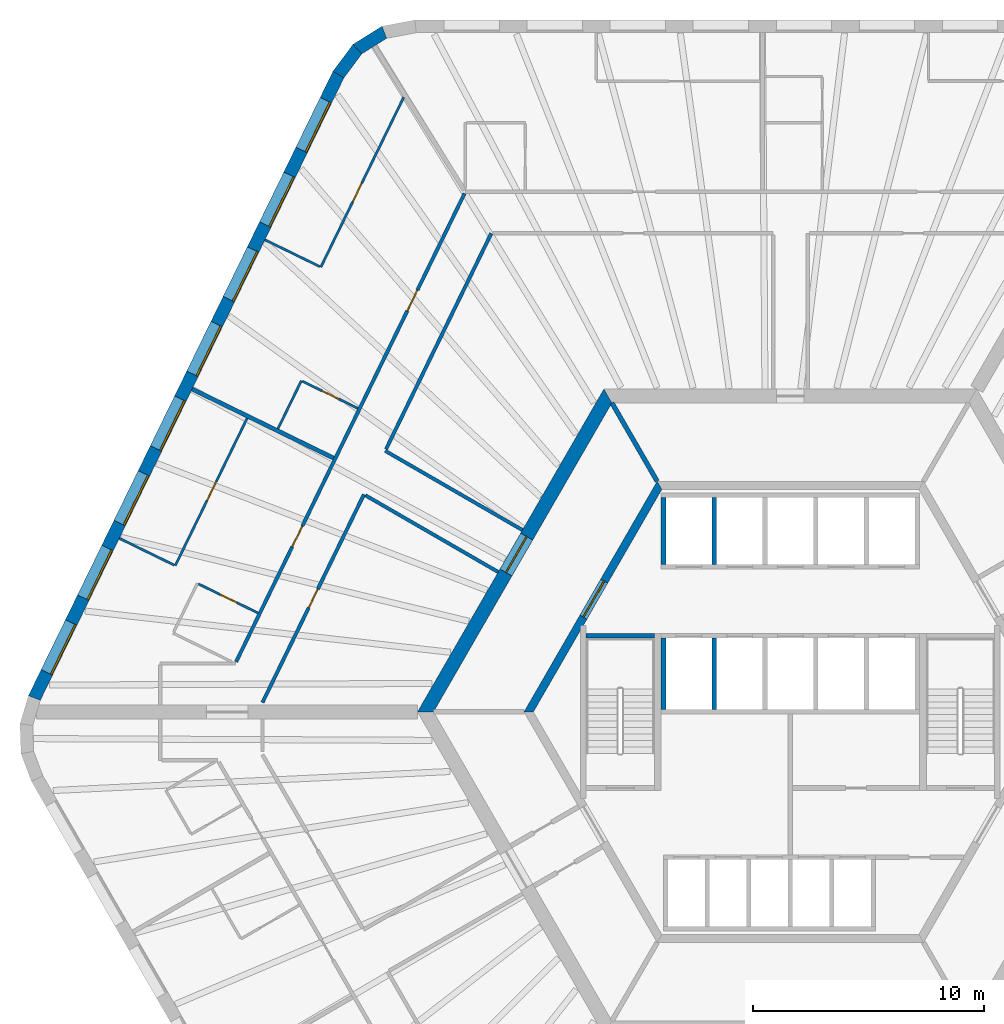
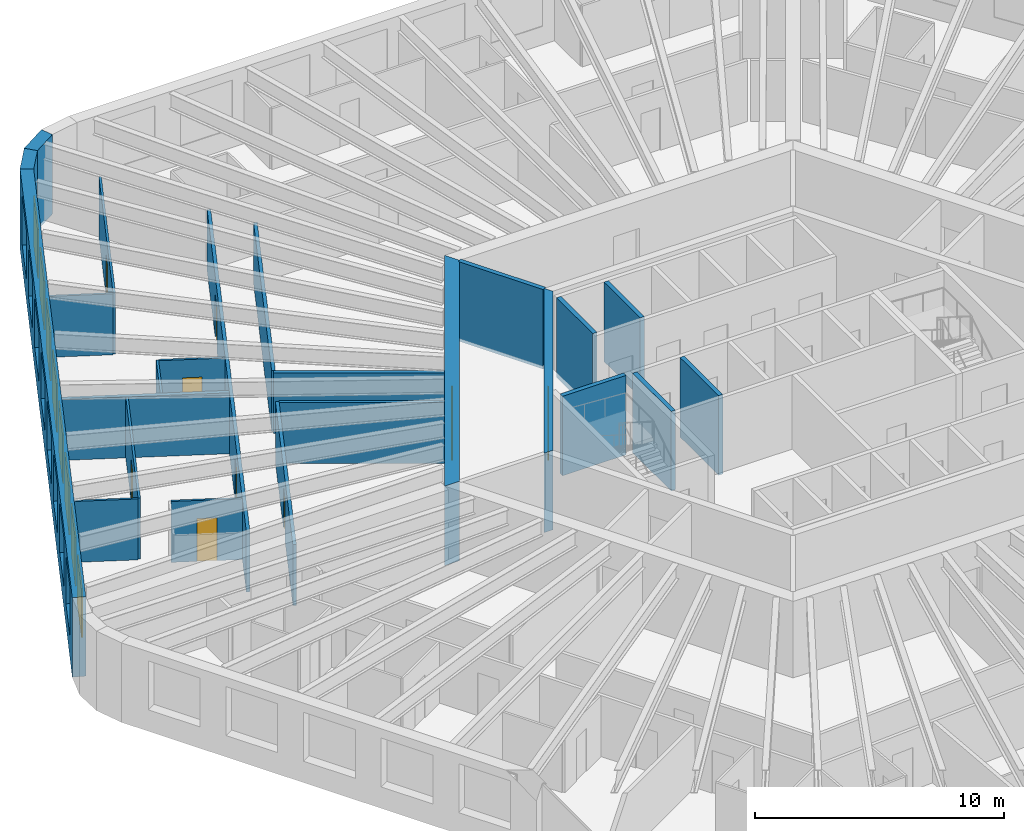
# One storey, part 7 of 12: 24 walls, 9 doors, 8 windows, 17 openings.
"""IFC4 building model written with IfcOpenShell, lengths in metres."""

from ifc_helpers import new_model, si_unit, direction, frame, frame_2d, origin, place, context, subcontext, project, spatial, polyline, rectangle, outline, extrude, material, layer, layer_set, type_object, element, fill, save


model = new_model("IFC4")

# Units and contexts
model_context = context("Model", 3, precision=1e-05, world=origin(), true_north=direction((0.0, 1.0)))
body_context = subcontext(model_context, "Body", "Model", "MODEL_VIEW")
ifc_project = project(units=[si_unit("LENGTHUNIT", "METRE"), si_unit("AREAUNIT", "SQUARE_METRE"), si_unit("VOLUMEUNIT", "CUBIC_METRE"), si_unit("PLANEANGLEUNIT", "RADIAN"), si_unit("MASSUNIT", "GRAM", prefix="KILO")], contexts=[model_context])

# Site, building, storey
site_placement = place(None, origin())
site = spatial("IfcSite", under=ifc_project, at=site_placement, CompositionType="ELEMENT")
building_placement = place(site_placement, origin())
building = spatial("IfcBuilding", under=site, at=building_placement, Name="Tarnside Tower", CompositionType="ELEMENT")
storey_placement = place(building_placement, frame((0.0, 0.0, 53.10009765625)))
storey = spatial("IfcBuildingStorey", under=building, at=storey_placement, Name="L10", CompositionType="ELEMENT", Elevation=53.10009765625)

# Wall
ifc_material_1 = material(Name="Gypsum board partition on steel studs", Category="steel")
ifc_layer_1 = layer(ifc_material_1, 0.10009765625)
ifc_layer_set_1 = layer_set([ifc_layer_1], Name="Bathroom wall 100")
wall_type_1 = type_object("IfcWallType", Name="Bathroom wall 100", PredefinedType="PARTITIONING", material=ifc_layer_set_1)
wall_1_placement = place(storey_placement, frame((-22.214111328125, 12.2822265625, 0.0), z_axis=(0.0, 0.0, 1.0), x_axis=(0.438398644313, 0.89878063434, 0.0)))
element("IfcWall", 1, at=wall_1_placement, inside=storey, type_object=wall_type_1, Name="Bathroom wall 02089", PredefinedType="PARTITIONING", context=body_context, shape_type="SweptSolid", body=[
    extrude(rectangle(XDim=2.31005859375, YDim=0.10009765625, at=frame_2d((1.155029296875, 0.0))), origin(), (0.0, 0.0, 1.0), 2.98779296875),
])

# Wall, opening, door
wall_2_placement = place(storey_placement, frame((-21.156494140625, 14.33642578125, 0.0), z_axis=(0.0, 0.0, 1.0), x_axis=(0.898800897694, -0.438357099068, 0.0)))
wall_2 = element("IfcWall", 2, at=wall_2_placement, inside=storey, type_object=wall_type_1, Name="Bathroom wall 02090", PredefinedType="PARTITIONING", context=body_context, shape_type="SweptSolid", body=[
    extrude(rectangle(XDim=2.675048828125, YDim=0.10009765625, at=frame_2d((1.33740234375, 0.0))), origin(), (0.0, 0.0, 1.0), 2.98779296875),
])
opening_1_placement = place(wall_2_placement, frame((0.949951171875, 0.0, 0.0)))
opening_1 = element("IfcOpeningElement", 3, at=opening_1_placement, cuts=wall_2, Name="Opening D-B1", PredefinedType="OPENING", context=body_context, shape_type="SweptSolid", body=[
    extrude(rectangle(XDim=0.800048828125, YDim=2.10009765625, at=frame_2d((0.39990234375, 1.050048828125))), frame((0.0, 0.06005859375, 0.0), z_axis=(0.0, -1.0, 0.0), x_axis=(1.0, 0.0, 0.0)), (0.0, 0.0, 1.0), 0.1201171875),
])
ifc_material_2 = material(Name="Timber door leaf", Category="wood")
door_type_1 = type_object("IfcDoorType", Name="Bathroom door 800", OperationType="NOTDEFINED", PredefinedType="DOOR", material=ifc_material_2)
door_1_placement = place(opening_1_placement, origin())
door_1 = element("IfcDoor", 4, at=door_1_placement, inside=storey, type_object=door_type_1, Name="Bathroom door 02009", OperationType="SINGLE_SWING_LEFT", OverallHeight=2.10009765625, OverallWidth=0.800048828125, PredefinedType="DOOR", context=body_context, shape_type="SweptSolid", body=[
    extrude(rectangle(XDim=0.800048828125, YDim=2.10009765625, at=frame_2d((0.39990234375, 1.050048828125))), frame((0.0, 0.02490234375, 0.0), z_axis=(0.0, -1.0, 0.0), x_axis=(1.0, 0.0, 0.0)), (0.0, 0.0, 1.0), 0.050048828125),
])
fill(opening_1, door_1)

wall_3_placement = place(storey_placement, frame((-25.664306640625, 5.55029296875, 0.0), z_axis=(0.0, 0.0, 1.0), x_axis=(0.898799457159, -0.438360052708, 0.0)))
wall_3 = element("IfcWall", 5, at=wall_3_placement, inside=storey, type_object=wall_type_1, Name="Bathroom wall 02098", PredefinedType="PARTITIONING", context=body_context, shape_type="SweptSolid", body=[
    extrude(rectangle(XDim=2.875, YDim=0.10009765625, at=frame_2d((1.4375, 0.0))), origin(), (0.0, 0.0, 1.0), 2.98779296875),
])
opening_2_placement = place(wall_3_placement, frame((1.050048828125, 0.0, 0.0)))
opening_2 = element("IfcOpeningElement", 6, at=opening_2_placement, cuts=wall_3, Name="Opening D-B1", PredefinedType="OPENING", context=body_context, shape_type="SweptSolid", body=[
    extrude(rectangle(XDim=0.800048828125, YDim=2.10009765625, at=frame_2d((0.39990234375, 1.050048828125))), frame((0.0, 0.06005859375, 0.0), z_axis=(0.0, -1.0, 0.0), x_axis=(1.0, 0.0, 0.0)), (0.0, 0.0, 1.0), 0.1201171875),
])
door_2_placement = place(opening_2_placement, origin())
door_2 = element("IfcDoor", 7, at=door_2_placement, inside=storey, type_object=door_type_1, Name="Bathroom door 02012", OperationType="SINGLE_SWING_LEFT", OverallHeight=2.10009765625, OverallWidth=0.800048828125, PredefinedType="DOOR", context=body_context, shape_type="SweptSolid", body=[
    extrude(rectangle(XDim=0.800048828125, YDim=2.10009765625, at=frame_2d((0.39990234375, 1.050048828125))), frame((0.0, 0.02490234375, 0.0), z_axis=(0.0, -1.0, 0.0), x_axis=(1.0, 0.0, 0.0)), (0.0, 0.0, 1.0), 0.050048828125),
])
fill(opening_2, door_2)

ifc_material_3 = material(Name="Concrete C50/60", Category="concrete")
ifc_layer_2 = layer(ifc_material_3, 0.35009765625)
ifc_layer_set_2 = layer_set([ifc_layer_2], Name="Core block wall 350 C50/60")
wall_type_2 = type_object("IfcWallType", Name="Core block wall 350 C50/60", PredefinedType="SHEAR", material=ifc_layer_set_2)
wall_4_placement = place(storey_placement, frame((-5.672607421875, 9.824951171875, -0.150146484375), z_axis=(0.0, 0.0, 1.0), x_axis=(-0.499995046907, -0.866028263435, 0.0)))
wall_4 = element("IfcWall", 8, at=wall_4_placement, inside=storey, type_object=wall_type_2, Name="L10 core block wall face 2", PredefinedType="SHEAR", context=body_context, shape_type="SweptSolid", body=[
    extrude(outline(polyline([(-0.10107421875, -0.175048828125), (11.44580078125, -0.175048828125), (11.24365234375, 0.175048828125), (0.10107421875, 0.175048828125), (-0.10107421875, -0.175048828125)])), origin(), (0.0, 0.0, 1.0), 3.900146484375),
])
opening_3_placement = place(wall_4_placement, frame((4.80126953125, 0.0, 0.14990234375)))
opening_3 = element("IfcOpeningElement", 9, at=opening_3_placement, cuts=wall_4, Name="Opening CD-LOB", PredefinedType="OPENING", context=body_context, shape_type="SweptSolid", body=[
    extrude(rectangle(XDim=1.800048828125, YDim=2.39990234375, at=frame_2d((0.89990234375, 1.199951171875))), frame((0.0, 0.18505859375, 0.0), z_axis=(0.0, -1.0, 0.0), x_axis=(1.0, 0.0, 0.0)), (0.0, 0.0, 1.0), 0.3701171875),
])
ifc_material_4 = material(Name="Steel fire door", Category="steel")
door_type_2 = type_object("IfcDoorType", Name="Lobby double door FD30S 1800x2400", OperationType="NOTDEFINED", PredefinedType="DOOR", material=ifc_material_4)
door_3_placement = place(opening_3_placement, origin())
door_3 = element("IfcDoor", 10, at=door_3_placement, inside=storey, type_object=door_type_2, Name="L10 lobby block door P1", OperationType="DOUBLE_DOOR_SINGLE_SWING", OverallHeight=2.39990234375, OverallWidth=1.800048828125, PredefinedType="DOOR", context=body_context, shape_type="SweptSolid", body=[
    extrude(rectangle(XDim=1.800048828125, YDim=2.39990234375, at=frame_2d((0.89990234375, 1.199951171875))), frame((0.0, 0.02490234375, 0.0), z_axis=(0.0, -1.0, 0.0), x_axis=(1.0, 0.0, 0.0)), (0.0, 0.0, 1.0), 0.050048828125),
])
fill(opening_3, door_3)

ifc_material_5 = material(Name="Concrete C80/95", Category="concrete")
ifc_layer_3 = layer(ifc_material_5, 0.60009765625)
ifc_layer_set_3 = layer_set([ifc_layer_3], Name="Core wall Z1 600 C80/95")
wall_type_3 = type_object("IfcWallType", Name="Core wall Z1 600 C80/95", PredefinedType="SHEAR", material=ifc_layer_set_3)
wall_5_placement = place(storey_placement, frame((-7.90966796875, 13.699951171875, -0.150146484375), z_axis=(0.0, 0.0, 1.0), x_axis=(-0.499999880136, -0.866025472988, 0.0)))
wall_5 = element("IfcWall", 11, at=wall_5_placement, inside=storey, type_object=wall_type_3, Name="L10 core wall face 2", PredefinedType="SHEAR", context=body_context, shape_type="SweptSolid", body=[
    extrude(outline(polyline([(-0.17333984375, -0.300048828125), (15.99267578125, -0.300048828125), (15.64599609375, 0.300048828125), (0.17333984375, 0.300048828125), (-0.17333984375, -0.300048828125)])), origin(), (0.0, 0.0, 1.0), 3.900146484375),
])
opening_4_placement = place(wall_5_placement, frame((7.03857421875, 0.0, 0.14990234375)))
opening_4 = element("IfcOpeningElement", 12, at=opening_4_placement, cuts=wall_5, Name="Opening CD-LOB", PredefinedType="OPENING", context=body_context, shape_type="SweptSolid", body=[
    extrude(rectangle(XDim=1.800048828125, YDim=2.39990234375, at=frame_2d((0.89990234375, 1.199951171875))), frame((0.0, 0.31005859375, 0.0), z_axis=(0.0, -1.0, 0.0), x_axis=(1.0, 0.0, 0.0)), (0.0, 0.0, 1.0), 0.6201171875),
])
door_4_placement = place(opening_4_placement, origin())
door_4 = element("IfcDoor", 13, at=door_4_placement, inside=storey, type_object=door_type_2, Name="L10 core door P1", OperationType="DOUBLE_DOOR_SINGLE_SWING", OverallHeight=2.39990234375, OverallWidth=1.800048828125, PredefinedType="DOOR", context=body_context, shape_type="SweptSolid", body=[
    extrude(rectangle(XDim=1.800048828125, YDim=2.39990234375, at=frame_2d((0.89990234375, 1.199951171875))), frame((0.0, 0.02490234375, 0.0), z_axis=(0.0, -1.0, 0.0), x_axis=(1.0, 0.0, 0.0)), (0.0, 0.0, 1.0), 0.050048828125),
])
fill(opening_4, door_4)

# Wall, openings, doors
ifc_layer_4 = layer(ifc_material_1, 0.14990234375)
ifc_layer_set_4 = layer_set([ifc_layer_4], Name="Corridor wall 150 EI 60")
wall_type_4 = type_object("IfcWallType", Name="Corridor wall 150 EI 60", PredefinedType="PARTITIONING", material=ifc_layer_set_4)
wall_6_placement = place(storey_placement, frame((-14.12744140625, 22.47509765625, 0.0), z_axis=(0.0, 0.0, 1.0), x_axis=(-0.438366981459, -0.898796077855, 0.0)))
wall_6 = element("IfcWall", 14, at=wall_6_placement, inside=storey, type_object=wall_type_4, Name="Corridor wall 02007", PredefinedType="PARTITIONING", context=body_context, shape_type="SweptSolid", body=[
    extrude(rectangle(XDim=22.5859375, YDim=0.14990234375, at=frame_2d((11.29296875, 0.0))), origin(), (0.0, 0.0, 1.0), 2.98779296875),
])
opening_5_placement = place(wall_6_placement, frame((4.656494140625, 0.0, 0.0)))
opening_5 = element("IfcOpeningElement", 15, at=opening_5_placement, cuts=wall_6, Name="Opening D-E1", PredefinedType="OPENING", context=body_context, shape_type="SweptSolid", body=[
    extrude(rectangle(XDim=1.0, YDim=2.10009765625, at=frame_2d((0.5, 1.050048828125))), frame((0.0, 0.0849609375, 0.0), z_axis=(0.0, -1.0, 0.0), x_axis=(1.0, 0.0, 0.0)), (0.0, 0.0, 1.0), 0.169921875),
])
opening_6_placement = place(wall_6_placement, frame((16.03271484375, 0.0, 0.0)))
opening_6 = element("IfcOpeningElement", 16, at=opening_6_placement, cuts=wall_6, Name="Opening D-E1", PredefinedType="OPENING", context=body_context, shape_type="SweptSolid", body=[
    extrude(rectangle(XDim=1.0, YDim=2.10009765625, at=frame_2d((0.5, 1.050048828125))), frame((0.0, 0.0849609375, 0.0), z_axis=(0.0, -1.0, 0.0), x_axis=(1.0, 0.0, 0.0)), (0.0, 0.0, 1.0), 0.169921875),
])
door_type_3 = type_object("IfcDoorType", Name="Unit entrance door 1000 FD30S", OperationType="NOTDEFINED", PredefinedType="DOOR", material=ifc_material_2)
door_5_placement = place(opening_5_placement, origin())
door_5 = element("IfcDoor", 17, at=door_5_placement, inside=storey, type_object=door_type_3, Name="Unit door 02008", OperationType="SINGLE_SWING_RIGHT", OverallHeight=2.10009765625, OverallWidth=1.0, PredefinedType="DOOR", context=body_context, shape_type="SweptSolid", body=[
    extrude(rectangle(XDim=1.0, YDim=2.10009765625, at=frame_2d((0.5, 1.050048828125))), frame((0.0, 0.02490234375, 0.0), z_axis=(0.0, -1.0, 0.0), x_axis=(1.0, 0.0, 0.0)), (0.0, 0.0, 1.0), 0.050048828125),
])
fill(opening_5, door_5)
door_6_placement = place(opening_6_placement, origin())
door_6 = element("IfcDoor", 18, at=door_6_placement, inside=storey, type_object=door_type_3, Name="Unit door 02011", OperationType="SINGLE_SWING_RIGHT", OverallHeight=2.10009765625, OverallWidth=1.0, PredefinedType="DOOR", context=body_context, shape_type="SweptSolid", body=[
    extrude(rectangle(XDim=1.0, YDim=2.10009765625, at=frame_2d((0.5, 1.050048828125))), frame((0.0, 0.02490234375, 0.0), z_axis=(0.0, -1.0, 0.0), x_axis=(1.0, 0.0, 0.0)), (0.0, 0.0, 1.0), 0.050048828125),
])
fill(opening_6, door_6)

# Walls
wall_7_placement = place(storey_placement, frame((-11.61376953125, 7.88427734375, 0.0), z_axis=(0.0, 0.0, 1.0), x_axis=(-0.866026442345, 0.499998201156, 0.0)))
element("IfcWall", 19, at=wall_7_placement, inside=storey, type_object=wall_type_4, Name="Corridor wall 02013", PredefinedType="PARTITIONING", context=body_context, shape_type="SweptSolid", body=[
    extrude(rectangle(XDim=6.8720703125, YDim=0.14990234375, at=frame_2d((3.43603515625, 0.0))), origin(), (0.0, 0.0, 1.0), 2.98779296875),
])
wall_8_placement = place(storey_placement, frame((-17.5322265625, 11.387939453125, 0.0), z_axis=(0.0, 0.0, 1.0), x_axis=(0.438369602246, 0.898794799622, 0.0)))
element("IfcWall", 20, at=wall_8_placement, inside=storey, type_object=wall_type_4, Name="Corridor wall 02014", PredefinedType="PARTITIONING", context=body_context, shape_type="SweptSolid", body=[
    extrude(rectangle(XDim=10.416259765625, YDim=0.14990234375, at=frame_2d((5.2080078125, 0.0))), origin(), (0.0, 0.0, 1.0), 2.98779296875),
])

# Wall, opening, door
wall_9_placement = place(storey_placement, frame((-22.886474609375, 0.41015625, 0.0), z_axis=(0.0, 0.0, 1.0), x_axis=(0.438373773754, 0.898792765038, 0.0)))
wall_9 = element("IfcWall", 21, at=wall_9_placement, inside=storey, type_object=wall_type_4, Name="Corridor wall 02020", PredefinedType="PARTITIONING", context=body_context, shape_type="SweptSolid", body=[
    extrude(rectangle(XDim=10.033447265625, YDim=0.14990234375, at=frame_2d((5.0166015625, 0.0))), origin(), (0.0, 0.0, 1.0), 2.98779296875),
])
opening_7_placement = place(wall_9_placement, frame((4.56689453125, 0.0, 0.0)))
opening_7 = element("IfcOpeningElement", 22, at=opening_7_placement, cuts=wall_9, Name="Opening D-S1", PredefinedType="OPENING", context=body_context, shape_type="SweptSolid", body=[
    extrude(rectangle(XDim=0.89990234375, YDim=2.10009765625, at=frame_2d((0.449951171875, 1.050048828125))), frame((0.0, 0.0849609375, 0.0), z_axis=(0.0, -1.0, 0.0), x_axis=(1.0, 0.0, 0.0)), (0.0, 0.0, 1.0), 0.169921875),
])
door_type_4 = type_object("IfcDoorType", Name="Service room door 900 FD30S", OperationType="NOTDEFINED", PredefinedType="DOOR", material=ifc_material_2)
door_7_placement = place(opening_7_placement, origin())
door_7 = element("IfcDoor", 23, at=door_7_placement, inside=storey, type_object=door_type_4, Name="Service door 02043", OperationType="SINGLE_SWING_RIGHT", OverallHeight=2.10009765625, OverallWidth=0.89990234375, PredefinedType="DOOR", context=body_context, shape_type="SweptSolid", body=[
    extrude(rectangle(XDim=0.89990234375, YDim=2.10009765625, at=frame_2d((0.449951171875, 1.050048828125))), frame((0.0, 0.02490234375, 0.0), z_axis=(0.0, -1.0, 0.0), x_axis=(1.0, 0.0, 0.0)), (0.0, 0.0, 1.0), 0.050048828125),
])
fill(opening_7, door_7)

# Walls
wall_10_placement = place(storey_placement, frame((-18.4228515625, 9.390625, 0.0), z_axis=(0.0, 0.0, 1.0), x_axis=(0.866027239912, -0.49999681972, 0.0)))
element("IfcWall", 24, at=wall_10_placement, inside=storey, type_object=wall_type_4, Name="Corridor wall 02021", PredefinedType="PARTITIONING", context=body_context, shape_type="SweptSolid", body=[
    extrude(rectangle(XDim=6.64990234375, YDim=0.14990234375, at=frame_2d((3.324951171875, 0.0))), origin(), (0.0, 0.0, 1.0), 2.98779296875),
])
ifc_layer_5 = layer(ifc_material_1, 0.179931640625)
ifc_layer_set_5 = layer_set([ifc_layer_5], Name="Demising wall 180 EI 60")
wall_type_5 = type_object("IfcWallType", Name="Demising wall 180 EI 60", PredefinedType="PARTITIONING", material=ifc_layer_set_5)
wall_11_placement = place(storey_placement, frame((-25.9384765625, 13.99853515625, 0.0), z_axis=(0.0, 0.0, 1.0), x_axis=(0.898790790823, -0.438377821441, 0.0)))
element("IfcWall", 25, at=wall_11_placement, inside=storey, type_object=wall_type_5, Name="Demising wall 02093", PredefinedType="PARTITIONING", context=body_context, shape_type="SweptSolid", body=[
    extrude(rectangle(XDim=6.824951171875, YDim=0.179931640625, at=frame_2d((3.41259765625, 0.0))), origin(), (0.0, 0.0, 1.0), 2.98779296875),
])
ifc_material_6 = material(Name="Concrete C40/50", Category="concrete")
ifc_layer_6 = layer(ifc_material_6, 0.199951171875)
ifc_layer_set_6 = layer_set([ifc_layer_6], Name="Lift shaft wall 200 C40/50")
wall_type_6 = type_object("IfcWallType", Name="Lift shaft wall 200 C40/50", PredefinedType="SHEAR", material=ifc_layer_set_6)
for number, where, z_axis, x_axis, name in (
    (26, (-5.5, 6.39990234375, -0.25), (0.0, 0.0, 1.0), (0.0, 1.0, 0.0), "L10 lift shaft partition R11"),
    (27, (-3.300048828125, 6.39990234375, -0.25), (0.0, 0.0, 1.0), (0.0, 1.0, 0.0), "L10 lift shaft partition R12"),
):
    element("IfcWall", number, at=place(storey_placement, frame(where, z_axis=z_axis, x_axis=x_axis)), inside=storey, type_object=wall_type_6, Name=name, PredefinedType="SHEAR", context=body_context, shape_type="SweptSolid", body=[
        extrude(rectangle(XDim=2.900146484375, YDim=0.199951171875, at=frame_2d((1.4501953125, 0.0))), origin(), (0.0, 0.0, 1.0), 3.89990234375),
    ])
for number, where, z_axis, x_axis, name in (
    (28, (-5.5, 0.10009765625, -0.25), (0.0, 0.0, 1.0), (0.0, 1.0, 0.0), "L10 lift shaft partition R21"),
    (29, (-3.300048828125, 0.10009765625, -0.25), (0.0, 0.0, 1.0), (0.0, 1.0, 0.0), "L10 lift shaft partition R22"),
):
    element("IfcWall", number, at=place(storey_placement, frame(where, z_axis=z_axis, x_axis=x_axis)), inside=storey, type_object=wall_type_6, Name=name, PredefinedType="SHEAR", context=body_context, shape_type="SweptSolid", body=[
        extrude(rectangle(XDim=3.099853515625, YDim=0.199951171875, at=frame_2d((1.5498046875, 0.0))), origin(), (0.0, 0.0, 1.0), 3.89990234375),
    ])
wall_12_placement = place(storey_placement, frame((-5.7734375, 10.0, -0.150146484375), z_axis=(0.0, 0.0, 1.0), x_axis=(-0.500038251005, 0.86600331843, 0.0)))
element("IfcWall", 30, at=wall_12_placement, inside=storey, type_object=wall_type_6, Name="L10 core partition AR120", PredefinedType="SHEAR", context=body_context, shape_type="SweptSolid", body=[
    extrude(rectangle(XDim=3.926025390625, YDim=0.199951171875, at=frame_2d((1.962890625, 0.0))), origin(), (0.0, 0.0, 1.0), 3.900146484375),
])
wall_13_placement = place(storey_placement, frame((-8.85009765625, 3.300048828125, -0.25), z_axis=(0.0, 0.0, 1.0), x_axis=(1.0, 0.0, 0.0)))
element("IfcWall", 31, at=wall_13_placement, inside=storey, type_object=wall_type_6, Name="L10 stair 2 enclosure cap wall n", PredefinedType="SHEAR", context=body_context, shape_type="SweptSolid", body=[
    extrude(rectangle(XDim=2.9501953125, YDim=0.199951171875, at=frame_2d((1.47509765625, 0.0))), origin(), (0.0, 0.0, 1.0), 3.89990234375),
])

# Wall, opening, door
ifc_layer_7 = layer(ifc_material_1, 0.10009765625)
ifc_layer_set_7 = layer_set([ifc_layer_7], Name="Partition 100")
wall_type_7 = type_object("IfcWallType", Name="Partition 100", PredefinedType="PARTITIONING", material=ifc_layer_set_7)
wall_14_placement = place(storey_placement, frame((-16.76171875, 26.654541015625, 0.0), z_axis=(0.0, 0.0, 1.0), x_axis=(-0.438376691605, -0.898791341891, 0.0)))
wall_14 = element("IfcWall", 32, at=wall_14_placement, inside=storey, type_object=wall_type_7, Name="Partition wall 02091", PredefinedType="PARTITIONING", context=body_context, shape_type="SweptSolid", body=[
    extrude(rectangle(XDim=8.19775390625, YDim=0.10009765625, at=frame_2d((4.098876953125, 0.0))), origin(), (0.0, 0.0, 1.0), 2.98779296875),
])
opening_8_placement = place(wall_14_placement, frame((4.14794921875, 0.0, 0.0)))
opening_8 = element("IfcOpeningElement", 33, at=opening_8_placement, cuts=wall_14, Name="Opening D-I1", PredefinedType="OPENING", context=body_context, shape_type="SweptSolid", body=[
    extrude(rectangle(XDim=0.89990234375, YDim=2.10009765625, at=frame_2d((0.449951171875, 1.050048828125))), frame((0.0, 0.06005859375, 0.0), z_axis=(0.0, -1.0, 0.0), x_axis=(1.0, 0.0, 0.0)), (0.0, 0.0, 1.0), 0.1201171875),
])
door_type_5 = type_object("IfcDoorType", Name="Internal door 900", OperationType="NOTDEFINED", PredefinedType="DOOR", material=ifc_material_2)
door_8_placement = place(opening_8_placement, origin())
door_8 = element("IfcDoor", 34, at=door_8_placement, inside=storey, type_object=door_type_5, Name="Internal door 02010", OperationType="SINGLE_SWING_LEFT", OverallHeight=2.10009765625, OverallWidth=0.89990234375, PredefinedType="DOOR", context=body_context, shape_type="SweptSolid", body=[
    extrude(rectangle(XDim=0.89990234375, YDim=2.10009765625, at=frame_2d((0.449951171875, 1.050048828125))), frame((0.0, 0.02490234375, 0.0), z_axis=(0.0, -1.0, 0.0), x_axis=(1.0, 0.0, 0.0)), (0.0, 0.0, 1.0), 0.050048828125),
])
fill(opening_8, door_8)

# Wall
wall_15_placement = place(storey_placement, frame((-20.400390625, 19.30810546875, 0.0), z_axis=(0.0, 0.0, 1.0), x_axis=(-0.898769331032, 0.438421816972, 0.0)))
element("IfcWall", 35, at=wall_15_placement, inside=storey, type_object=wall_type_7, Name="Partition wall 02092", PredefinedType="PARTITIONING", context=body_context, shape_type="SweptSolid", body=[
    extrude(rectangle(XDim=2.650146484375, YDim=0.10009765625, at=frame_2d((1.3251953125, 0.0))), origin(), (0.0, 0.0, 1.0), 2.98779296875),
])

# Wall, opening, door
wall_16_placement = place(storey_placement, frame((-23.55126953125, 12.734130859375, 0.0), z_axis=(0.0, 0.0, 1.0), x_axis=(-0.438387776054, -0.898785935475, 0.0)))
wall_16 = element("IfcWall", 36, at=wall_16_placement, inside=storey, type_object=wall_type_7, Name="Partition wall 02099", PredefinedType="PARTITIONING", context=body_context, shape_type="SweptSolid", body=[
    extrude(rectangle(XDim=7.110107421875, YDim=0.10009765625, at=frame_2d((3.55517578125, 0.0))), origin(), (0.0, 0.0, 1.0), 2.98779296875),
])
opening_9_placement = place(wall_16_placement, frame((3.06005859375, 0.0, 0.0)))
opening_9 = element("IfcOpeningElement", 37, at=opening_9_placement, cuts=wall_16, Name="Opening D-I1", PredefinedType="OPENING", context=body_context, shape_type="SweptSolid", body=[
    extrude(rectangle(XDim=0.89990234375, YDim=2.10009765625, at=frame_2d((0.449951171875, 1.050048828125))), frame((0.0, 0.06005859375, 0.0), z_axis=(0.0, -1.0, 0.0), x_axis=(1.0, 0.0, 0.0)), (0.0, 0.0, 1.0), 0.1201171875),
])
door_9_placement = place(opening_9_placement, origin())
door_9 = element("IfcDoor", 38, at=door_9_placement, inside=storey, type_object=door_type_5, Name="Internal door 02013", OperationType="SINGLE_SWING_RIGHT", OverallHeight=2.10009765625, OverallWidth=0.89990234375, PredefinedType="DOOR", context=body_context, shape_type="SweptSolid", body=[
    extrude(rectangle(XDim=0.89990234375, YDim=2.10009765625, at=frame_2d((0.449951171875, 1.050048828125))), frame((0.0, 0.02490234375, 0.0), z_axis=(0.0, -1.0, 0.0), x_axis=(1.0, 0.0, 0.0)), (0.0, 0.0, 1.0), 0.050048828125),
])
fill(opening_9, door_9)

# Walls
wall_17_placement = place(storey_placement, frame((-26.713134765625, 6.365478515625, 0.0), z_axis=(0.0, 0.0, 1.0), x_axis=(-0.898751621189, 0.438458120475, 0.0)))
element("IfcWall", 39, at=wall_17_placement, inside=storey, type_object=wall_type_7, Name="Partition wall 02100", PredefinedType="PARTITIONING", context=body_context, shape_type="SweptSolid", body=[
    extrude(rectangle(XDim=2.64990234375, YDim=0.10009765625, at=frame_2d((1.324951171875, 0.0))), origin(), (0.0, 0.0, 1.0), 2.98779296875),
])
ifc_material_7 = material(Name="Facing brick", Category="masonry")
ifc_layer_8 = layer(ifc_material_7, 0.10205078125)
ifc_material_8 = material(Name="Concrete C60/75 precast", Category="concrete")
ifc_layer_9 = layer(ifc_material_8, 0.347900390625)
ifc_material_9 = material(Name="Mineral wool insulation")
ifc_layer_10 = layer(ifc_material_9, 0.10009765625)
ifc_layer_set_8 = layer_set([ifc_layer_8, ifc_layer_9, ifc_layer_10], Name="Tube wall 550 brick faced")
wall_type_8 = type_object("IfcWallType", Name="Tube wall 550 brick faced", PredefinedType="SOLIDWALL", material=ifc_layer_set_8)
wall_18_placement = place(storey_placement, frame((-17.601806640625, 29.4697265625, -0.150146484375), z_axis=(0.0, 0.0, 1.0), x_axis=(-0.848057977594, -0.5299034503, 0.0)))
element("IfcWall", 40, at=wall_18_placement, inside=storey, type_object=wall_type_8, Name="Tube wall L10 F1 chord 02", PredefinedType="SOLIDWALL", context=body_context, shape_type="SweptSolid", body=[
    extrude(outline(polyline([(-0.0517578125, -0.27490234375), (1.4306640625, -0.27490234375), (1.3271484375, 0.27490234375), (0.0517578125, 0.27490234375), (-0.0517578125, -0.27490234375)])), origin(), (0.0, 0.0, 1.0), 3.900146484375),
])
wall_19_placement = place(storey_placement, frame((-18.771240234375, 28.739013671875, -0.150146484375), z_axis=(0.0, 0.0, 1.0), x_axis=(-0.597135295884, -0.802140535324, 0.0)))
element("IfcWall", 41, at=wall_19_placement, inside=storey, type_object=wall_type_8, Name="Tube wall L10 F1 chord 03", PredefinedType="SOLIDWALL", context=body_context, shape_type="SweptSolid", body=[
    extrude(outline(polyline([(-0.0517578125, -0.27490234375), (1.40478515625, -0.27490234375), (1.353515625, 0.27490234375), (0.0517578125, 0.27490234375), (-0.0517578125, -0.27490234375)])), origin(), (0.0, 0.0, 1.0), 3.900146484375),
])

# Wall, openings, windows
wall_20_placement = place(storey_placement, frame((-19.5947265625, 27.6328125, -0.150146484375), z_axis=(0.0, 0.0, 1.0), x_axis=(-0.438368285794, -0.898795441694, 0.0)))
wall_20 = element("IfcWall", 42, at=wall_20_placement, inside=storey, type_object=wall_type_8, Name="Tube wall L10 F2 flush 04", PredefinedType="SOLIDWALL", context=body_context, shape_type="SweptSolid", body=[
    extrude(outline(polyline([(-0.025634765625, -0.27490234375), (30.09326171875, -0.27490234375), (30.04833984375, 0.27490234375), (0.025634765625, 0.27490234375), (-0.025634765625, -0.27490234375)])), origin(), (0.0, 0.0, 1.0), 3.900146484375),
])
opening_10_placement = place(wall_20_placement, frame((1.235595703125, 0.0, 1.050048828125)))
opening_10 = element("IfcOpeningElement", 43, at=opening_10_placement, cuts=wall_20, Name="Opening WH", PredefinedType="OPENING", context=body_context, shape_type="SweptSolid", body=[
    extrude(rectangle(XDim=2.39990234375, YDim=2.39990234375, at=frame_2d((1.199951171875, 1.199951171875))), frame((0.0, 0.28515625, 0.0), z_axis=(0.0, -1.0, 0.0), x_axis=(1.0, 0.0, 0.0)), (0.0, 0.0, 1.0), 0.570068359375),
])
opening_11_placement = place(wall_20_placement, frame((4.83544921875, 0.0, 1.050048828125)))
opening_11 = element("IfcOpeningElement", 44, at=opening_11_placement, cuts=wall_20, Name="Opening WH", PredefinedType="OPENING", context=body_context, shape_type="SweptSolid", body=[
    extrude(rectangle(XDim=2.39990234375, YDim=2.39990234375, at=frame_2d((1.199951171875, 1.199951171875))), frame((0.0, 0.28515625, 0.0), z_axis=(0.0, -1.0, 0.0), x_axis=(1.0, 0.0, 0.0)), (0.0, 0.0, 1.0), 0.570068359375),
])
opening_12_placement = place(wall_20_placement, frame((8.435546875, 0.0, 1.050048828125)))
opening_12 = element("IfcOpeningElement", 45, at=opening_12_placement, cuts=wall_20, Name="Opening WH", PredefinedType="OPENING", context=body_context, shape_type="SweptSolid", body=[
    extrude(rectangle(XDim=2.39990234375, YDim=2.39990234375, at=frame_2d((1.199951171875, 1.199951171875))), frame((0.0, 0.28515625, 0.0), z_axis=(0.0, -1.0, 0.0), x_axis=(1.0, 0.0, 0.0)), (0.0, 0.0, 1.0), 0.570068359375),
])
opening_13_placement = place(wall_20_placement, frame((12.035400390625, 0.0, 1.050048828125)))
opening_13 = element("IfcOpeningElement", 46, at=opening_13_placement, cuts=wall_20, Name="Opening WH", PredefinedType="OPENING", context=body_context, shape_type="SweptSolid", body=[
    extrude(rectangle(XDim=2.39990234375, YDim=2.39990234375, at=frame_2d((1.199951171875, 1.199951171875))), frame((0.0, 0.28515625, 0.0), z_axis=(0.0, -1.0, 0.0), x_axis=(1.0, 0.0, 0.0)), (0.0, 0.0, 1.0), 0.570068359375),
])
opening_14_placement = place(wall_20_placement, frame((15.635498046875, 0.0, 1.050048828125)))
opening_14 = element("IfcOpeningElement", 47, at=opening_14_placement, cuts=wall_20, Name="Opening WH", PredefinedType="OPENING", context=body_context, shape_type="SweptSolid", body=[
    extrude(rectangle(XDim=2.39990234375, YDim=2.39990234375, at=frame_2d((1.199951171875, 1.199951171875))), frame((0.0, 0.28515625, 0.0), z_axis=(0.0, -1.0, 0.0), x_axis=(1.0, 0.0, 0.0)), (0.0, 0.0, 1.0), 0.570068359375),
])
opening_15_placement = place(wall_20_placement, frame((19.235595703125, 0.0, 1.050048828125)))
opening_15 = element("IfcOpeningElement", 48, at=opening_15_placement, cuts=wall_20, Name="Opening WH", PredefinedType="OPENING", context=body_context, shape_type="SweptSolid", body=[
    extrude(rectangle(XDim=2.39990234375, YDim=2.39990234375, at=frame_2d((1.199951171875, 1.199951171875))), frame((0.0, 0.28515625, 0.0), z_axis=(0.0, -1.0, 0.0), x_axis=(1.0, 0.0, 0.0)), (0.0, 0.0, 1.0), 0.570068359375),
])
opening_16_placement = place(wall_20_placement, frame((22.83544921875, 0.0, 1.050048828125)))
opening_16 = element("IfcOpeningElement", 49, at=opening_16_placement, cuts=wall_20, Name="Opening WH", PredefinedType="OPENING", context=body_context, shape_type="SweptSolid", body=[
    extrude(rectangle(XDim=2.39990234375, YDim=2.39990234375, at=frame_2d((1.199951171875, 1.199951171875))), frame((0.0, 0.28515625, 0.0), z_axis=(0.0, -1.0, 0.0), x_axis=(1.0, 0.0, 0.0)), (0.0, 0.0, 1.0), 0.570068359375),
])
opening_17_placement = place(wall_20_placement, frame((26.435546875, 0.0, 1.050048828125)))
opening_17 = element("IfcOpeningElement", 50, at=opening_17_placement, cuts=wall_20, Name="Opening WH", PredefinedType="OPENING", context=body_context, shape_type="SweptSolid", body=[
    extrude(rectangle(XDim=2.39990234375, YDim=2.39990234375, at=frame_2d((1.199951171875, 1.199951171875))), frame((0.0, 0.28515625, 0.0), z_axis=(0.0, -1.0, 0.0), x_axis=(1.0, 0.0, 0.0)), (0.0, 0.0, 1.0), 0.570068359375),
])
ifc_material_10 = material(Name="Aluminium-framed double glazing", Category="aluminium")
window_type = type_object("IfcWindowType", Name="Hotel window 2400 x 2400", PartitioningType="DOUBLE_PANEL_VERTICAL", PredefinedType="WINDOW", material=ifc_material_10)
window_1_placement = place(opening_10_placement, frame((0.0, 0.205078125, 0.0)))
window_1 = element("IfcWindow", 51, at=window_1_placement, inside=storey, type_object=window_type, Name="E.WN.L10.F2.00", OverallHeight=2.39990234375, OverallWidth=2.39990234375, PartitioningType="DOUBLE_PANEL_VERTICAL", PredefinedType="WINDOW", context=body_context, shape_type="SweptSolid", body=[
    extrude(rectangle(XDim=2.39990234375, YDim=2.39990234375, at=frame_2d((1.199951171875, 1.199951171875))), frame((0.0, 0.030029296875, 0.0), z_axis=(0.0, -1.0, 0.0), x_axis=(1.0, 0.0, 0.0)), (0.0, 0.0, 1.0), 0.06005859375),
])
fill(opening_10, window_1)
window_2_placement = place(opening_11_placement, frame((0.0, 0.205078125, 0.0)))
window_2 = element("IfcWindow", 52, at=window_2_placement, inside=storey, type_object=window_type, Name="E.WN.L10.F2.01", OverallHeight=2.39990234375, OverallWidth=2.39990234375, PartitioningType="DOUBLE_PANEL_VERTICAL", PredefinedType="WINDOW", context=body_context, shape_type="SweptSolid", body=[
    extrude(rectangle(XDim=2.39990234375, YDim=2.39990234375, at=frame_2d((1.199951171875, 1.199951171875))), frame((0.0, 0.030029296875, 0.0), z_axis=(0.0, -1.0, 0.0), x_axis=(1.0, 0.0, 0.0)), (0.0, 0.0, 1.0), 0.06005859375),
])
fill(opening_11, window_2)
window_3_placement = place(opening_12_placement, frame((0.0, 0.205078125, 0.0)))
window_3 = element("IfcWindow", 53, at=window_3_placement, inside=storey, type_object=window_type, Name="E.WN.L10.F2.02", OverallHeight=2.39990234375, OverallWidth=2.39990234375, PartitioningType="DOUBLE_PANEL_VERTICAL", PredefinedType="WINDOW", context=body_context, shape_type="SweptSolid", body=[
    extrude(rectangle(XDim=2.39990234375, YDim=2.39990234375, at=frame_2d((1.199951171875, 1.199951171875))), frame((0.0, 0.030029296875, 0.0), z_axis=(0.0, -1.0, 0.0), x_axis=(1.0, 0.0, 0.0)), (0.0, 0.0, 1.0), 0.06005859375),
])
fill(opening_12, window_3)
window_4_placement = place(opening_13_placement, frame((0.0, 0.205078125, 0.0)))
window_4 = element("IfcWindow", 54, at=window_4_placement, inside=storey, type_object=window_type, Name="E.WN.L10.F2.03", OverallHeight=2.39990234375, OverallWidth=2.39990234375, PartitioningType="DOUBLE_PANEL_VERTICAL", PredefinedType="WINDOW", context=body_context, shape_type="SweptSolid", body=[
    extrude(rectangle(XDim=2.39990234375, YDim=2.39990234375, at=frame_2d((1.199951171875, 1.199951171875))), frame((0.0, 0.030029296875, 0.0), z_axis=(0.0, -1.0, 0.0), x_axis=(1.0, 0.0, 0.0)), (0.0, 0.0, 1.0), 0.06005859375),
])
fill(opening_13, window_4)
window_5_placement = place(opening_14_placement, frame((0.0, 0.205078125, 0.0)))
window_5 = element("IfcWindow", 55, at=window_5_placement, inside=storey, type_object=window_type, Name="E.WN.L10.F2.04", OverallHeight=2.39990234375, OverallWidth=2.39990234375, PartitioningType="DOUBLE_PANEL_VERTICAL", PredefinedType="WINDOW", context=body_context, shape_type="SweptSolid", body=[
    extrude(rectangle(XDim=2.39990234375, YDim=2.39990234375, at=frame_2d((1.199951171875, 1.199951171875))), frame((0.0, 0.030029296875, 0.0), z_axis=(0.0, -1.0, 0.0), x_axis=(1.0, 0.0, 0.0)), (0.0, 0.0, 1.0), 0.06005859375),
])
fill(opening_14, window_5)
window_6_placement = place(opening_15_placement, frame((0.0, 0.205078125, 0.0)))
window_6 = element("IfcWindow", 56, at=window_6_placement, inside=storey, type_object=window_type, Name="E.WN.L10.F2.05", OverallHeight=2.39990234375, OverallWidth=2.39990234375, PartitioningType="DOUBLE_PANEL_VERTICAL", PredefinedType="WINDOW", context=body_context, shape_type="SweptSolid", body=[
    extrude(rectangle(XDim=2.39990234375, YDim=2.39990234375, at=frame_2d((1.199951171875, 1.199951171875))), frame((0.0, 0.030029296875, 0.0), z_axis=(0.0, -1.0, 0.0), x_axis=(1.0, 0.0, 0.0)), (0.0, 0.0, 1.0), 0.06005859375),
])
fill(opening_15, window_6)
window_7_placement = place(opening_16_placement, frame((0.0, 0.205078125, 0.0)))
window_7 = element("IfcWindow", 57, at=window_7_placement, inside=storey, type_object=window_type, Name="E.WN.L10.F2.06", OverallHeight=2.39990234375, OverallWidth=2.39990234375, PartitioningType="DOUBLE_PANEL_VERTICAL", PredefinedType="WINDOW", context=body_context, shape_type="SweptSolid", body=[
    extrude(rectangle(XDim=2.39990234375, YDim=2.39990234375, at=frame_2d((1.199951171875, 1.199951171875))), frame((0.0, 0.030029296875, 0.0), z_axis=(0.0, -1.0, 0.0), x_axis=(1.0, 0.0, 0.0)), (0.0, 0.0, 1.0), 0.06005859375),
])
fill(opening_16, window_7)
window_8_placement = place(opening_17_placement, frame((0.0, 0.205078125, 0.0)))
window_8 = element("IfcWindow", 58, at=window_8_placement, inside=storey, type_object=window_type, Name="E.WN.L10.F2.07", OverallHeight=2.39990234375, OverallWidth=2.39990234375, PartitioningType="DOUBLE_PANEL_VERTICAL", PredefinedType="WINDOW", context=body_context, shape_type="SweptSolid", body=[
    extrude(rectangle(XDim=2.39990234375, YDim=2.39990234375, at=frame_2d((1.199951171875, 1.199951171875))), frame((0.0, 0.030029296875, 0.0), z_axis=(0.0, -1.0, 0.0), x_axis=(1.0, 0.0, 0.0)), (0.0, 0.0, 1.0), 0.06005859375),
])
fill(opening_17, window_8)

save(model, "model.ifc")
